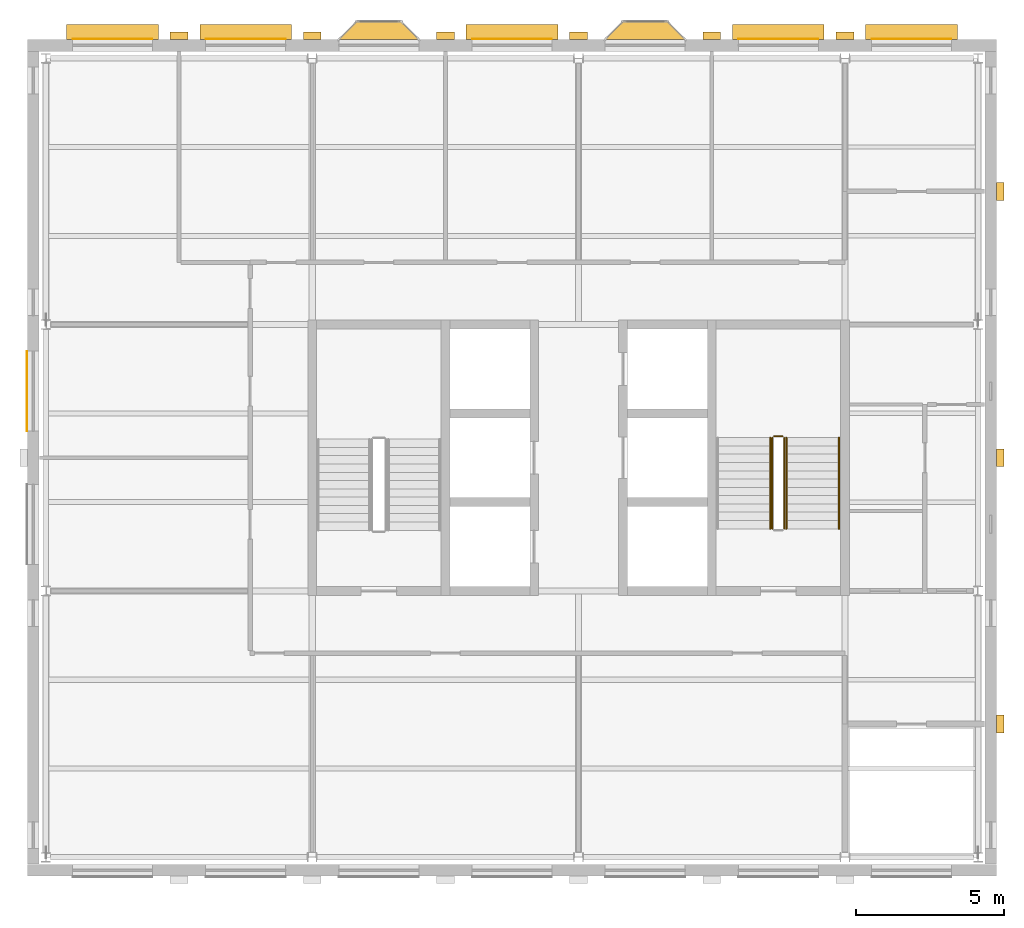
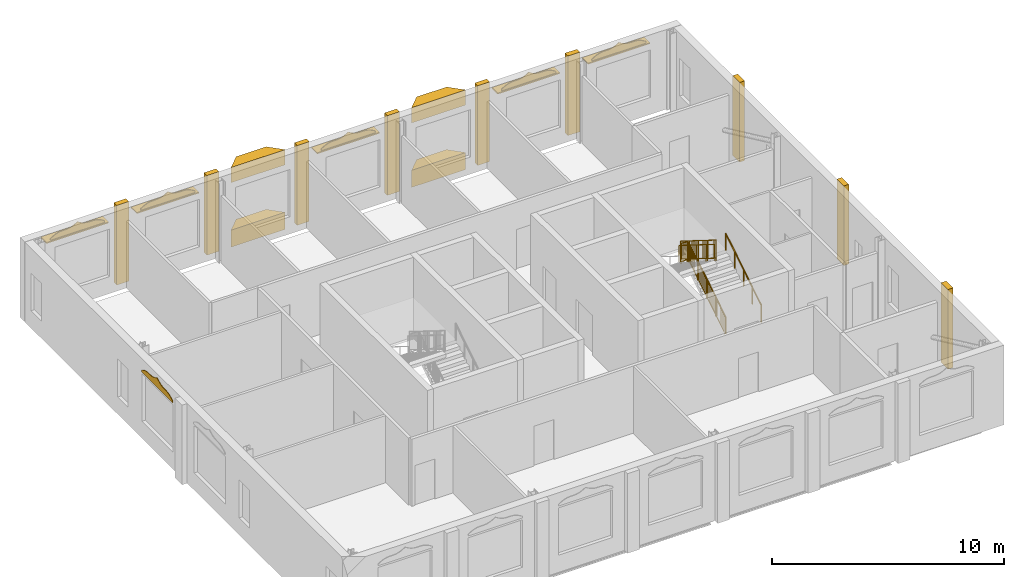
# One storey, part 9 of 9: 19 coverings, 6 railings, 5 shading devices.
"""IFC4 building model written with IfcOpenShell, lengths in metres."""

from ifc_helpers import new_model, si_unit, direction, frame, origin, origin_2d, place, context, subcontext, project, spatial, polyline, rectangle, circle, outline, extrude, material, layer, layer_set, type_object, element, save


model = new_model("IFC4")

# Units and contexts
model_context = context("Model", 3, precision=1e-05, world=origin(), true_north=direction((0.0, 1.0)))
body_context = subcontext(model_context, "Body", "Model", "MODEL_VIEW")
ifc_project = project(units=[si_unit("LENGTHUNIT", "METRE"), si_unit("AREAUNIT", "SQUARE_METRE"), si_unit("VOLUMEUNIT", "CUBIC_METRE"), si_unit("PLANEANGLEUNIT", "RADIAN"), si_unit("MASSUNIT", "GRAM", prefix="KILO")], contexts=[model_context])

# Site, building, storey
site_placement = place(None, origin())
site = spatial("IfcSite", under=ifc_project, at=site_placement, CompositionType="ELEMENT")
building_placement = place(site_placement, origin())
building = spatial("IfcBuilding", under=site, at=building_placement, Name="Hortulan Conservatory and Botanical Research Centre", CompositionType="ELEMENT")
storey_placement = place(building_placement, frame((0.0, 0.0, 52.800048828125)))
storey = spatial("IfcBuildingStorey", under=building, at=storey_placement, Name="L12", CompositionType="ELEMENT", Elevation=52.800048828125)

# Shading devices
ifc_material_1 = material(Name="Bronze-finished perforated aluminium", Category="aluminium")
ifc_layer_1 = layer(ifc_material_1, 0.06005859375)
ifc_layer_set_1 = layer_set([ifc_layer_1], Name="Catenary Hood 3100x500x60")
shading_device_type = type_object("IfcShadingDeviceType", Name="Catenary Hood 3100x500x60", PredefinedType="USERDEFINED", material=ifc_layer_set_1)
for number, where, z_axis, x_axis, name in (
    (1, (2.25, 27.885986328125, 3.409912109375), (0.0, 0.0, 1.0), (1.0, 0.0, 0.0), "Catenary hood"),
    (2, (6.75, 27.885986328125, 3.409912109375), (0.0, 0.0, 1.0), (1.0, 0.0, 0.0), "Catenary hood"),
    (3, (15.75, 27.885986328125, 3.409912109375), (0.0, 0.0, 1.0), (1.0, 0.0, 0.0), "Catenary hood"),
    (4, (24.75, 27.885986328125, 3.409912109375), (0.0, 0.0, 1.0), (1.0, 0.0, 0.0), "Catenary hood"),
    (5, (29.25, 27.885986328125, 3.409912109375), (0.0, 0.0, 1.0), (1.0, 0.0, 0.0), "Catenary hood"),
):
    element("IfcShadingDevice", number, at=place(storey_placement, frame(where, z_axis=z_axis, x_axis=x_axis)), inside=storey, type_object=shading_device_type, Name=name, ObjectType="Catenary hood", PredefinedType="USERDEFINED", context=body_context, shape_type="SweptSolid", body=[
        extrude(rectangle(XDim=3.10009765625, YDim=0.5, at=origin_2d()), origin(), (0.0, 0.0, 1.0), 0.06005859375),
    ])

# Coverings
ifc_material_2 = material(Name="Faience cladding, cream glaze (non-combustible)", Category="ceramic")
ifc_layer_2 = layer(ifc_material_2, 0.030029296875)
ifc_layer_set_2 = layer_set([ifc_layer_2], Name="Faience Ogee Head Panel Cream 2700x500")
covering_type_1 = type_object("IfcCoveringType", Name="Faience Ogee Head Panel Cream 2700x500", PredefinedType="CLADDING", material=ifc_layer_set_2)
for number, where, z_axis, x_axis, name in (
    (6, (-0.639892578125, 14.39990234375, 3.52001953125), (0.0, 0.0, 1.0), (0.0, 1.0, 0.0), "Ogee head panel"),
    (7, (14.39990234375, 27.65087890625, 3.52001953125), (0.0, 0.0, 1.0), (1.0, 0.0, 0.0), "Ogee head panel"),
):
    element("IfcCovering", number, at=place(storey_placement, frame(where, z_axis=z_axis, x_axis=x_axis)), inside=storey, type_object=covering_type_1, Name=name, PredefinedType="CLADDING", context=body_context, shape_type="SweptSolid", body=[
        extrude(outline(polyline([(0.0, 0.0), (2.699951171875, 0.0), (2.699951171875, 0.079833984375), (2.58740234375, 0.1484375), (2.47509765625, 0.208251953125), (2.362548828125, 0.252197265625), (2.25, 0.278076171875), (2.137451171875, 0.28857421875), (2.02490234375, 0.2900390625), (1.91259765625, 0.291259765625), (1.800048828125, 0.3017578125), (1.6875, 0.32763671875), (1.574951171875, 0.371826171875), (1.46240234375, 0.431396484375), (1.35009765625, 0.5), (1.237548828125, 0.431396484375), (1.125, 0.371826171875), (1.012451171875, 0.32763671875), (0.89990234375, 0.3017578125), (0.78759765625, 0.291259765625), (0.675048828125, 0.2900390625), (0.5625, 0.28857421875), (0.449951171875, 0.278076171875), (0.33740234375, 0.252197265625), (0.22509765625, 0.208251953125), (0.112548828125, 0.1484375), (0.0, 0.079833984375), (0.0, 0.0)])), frame((0.0, 0.01513671875, 0.0), z_axis=(0.0, -1.0, 0.0), x_axis=(1.0, 0.0, 0.0)), (0.0, 0.0, 1.0), 0.030029296875),
    ])
ifc_material_3 = material(Name="Faience cladding, waratah crimson glaze (non-combustible)", Category="ceramic")
ifc_layer_3 = layer(ifc_material_3, 0.030029296875)
ifc_layer_set_3 = layer_set([ifc_layer_3], Name="Faience Ogee Head Panel Crimson 2700x500")
covering_type_2 = type_object("IfcCoveringType", Name="Faience Ogee Head Panel Crimson 2700x500", PredefinedType="CLADDING", material=ifc_layer_set_3)
for number, where, z_axis, x_axis, name in (
    (8, (0.89990234375, 27.65087890625, 3.52001953125), (0.0, 0.0, 1.0), (1.0, 0.0, 0.0), "Ogee head panel"),
    (9, (23.39990234375, 27.65087890625, 3.52001953125), (0.0, 0.0, 1.0), (1.0, 0.0, 0.0), "Ogee head panel"),
    (10, (27.89990234375, 27.65087890625, 3.52001953125), (0.0, 0.0, 1.0), (1.0, 0.0, 0.0), "Ogee head panel"),
):
    element("IfcCovering", number, at=place(storey_placement, frame(where, z_axis=z_axis, x_axis=x_axis)), inside=storey, type_object=covering_type_2, Name=name, PredefinedType="CLADDING", context=body_context, shape_type="SweptSolid", body=[
        extrude(outline(polyline([(0.0, 0.0), (2.699951171875, 0.0), (2.699951171875, 0.079833984375), (2.58740234375, 0.1484375), (2.47509765625, 0.208251953125), (2.362548828125, 0.252197265625), (2.25, 0.278076171875), (2.137451171875, 0.28857421875), (2.02490234375, 0.2900390625), (1.91259765625, 0.291259765625), (1.800048828125, 0.3017578125), (1.6875, 0.32763671875), (1.574951171875, 0.371826171875), (1.46240234375, 0.431396484375), (1.35009765625, 0.5), (1.237548828125, 0.431396484375), (1.125, 0.371826171875), (1.012451171875, 0.32763671875), (0.89990234375, 0.3017578125), (0.78759765625, 0.291259765625), (0.675048828125, 0.2900390625), (0.5625, 0.28857421875), (0.449951171875, 0.278076171875), (0.33740234375, 0.252197265625), (0.22509765625, 0.208251953125), (0.112548828125, 0.1484375), (0.0, 0.079833984375), (0.0, 0.0)])), frame((0.0, 0.01513671875, 0.0), z_axis=(0.0, -1.0, 0.0), x_axis=(1.0, 0.0, 0.0)), (0.0, 0.0, 1.0), 0.030029296875),
    ])
ifc_material_4 = material(Name="Faience cladding, harbour teal glaze (non-combustible)", Category="ceramic")
ifc_layer_4 = layer(ifc_material_4, 0.030029296875)
ifc_layer_set_4 = layer_set([ifc_layer_4], Name="Faience Ogee Head Panel Teal 2700x500")
covering_type_3 = type_object("IfcCoveringType", Name="Faience Ogee Head Panel Teal 2700x500", PredefinedType="CLADDING", material=ifc_layer_set_4)
covering_1_placement = place(storey_placement, frame((5.39990234375, 27.65087890625, 3.52001953125), z_axis=(0.0, 0.0, 1.0), x_axis=(1.0, 0.0, 0.0)))
element("IfcCovering", 11, at=covering_1_placement, inside=storey, type_object=covering_type_3, Name="Ogee head panel", PredefinedType="CLADDING", context=body_context, shape_type="SweptSolid", body=[
    extrude(outline(polyline([(0.0, 0.0), (2.699951171875, 0.0), (2.699951171875, 0.079833984375), (2.58740234375, 0.1484375), (2.47509765625, 0.208251953125), (2.362548828125, 0.252197265625), (2.25, 0.278076171875), (2.137451171875, 0.28857421875), (2.02490234375, 0.2900390625), (1.91259765625, 0.291259765625), (1.800048828125, 0.3017578125), (1.6875, 0.32763671875), (1.574951171875, 0.371826171875), (1.46240234375, 0.431396484375), (1.35009765625, 0.5), (1.237548828125, 0.431396484375), (1.125, 0.371826171875), (1.012451171875, 0.32763671875), (0.89990234375, 0.3017578125), (0.78759765625, 0.291259765625), (0.675048828125, 0.2900390625), (0.5625, 0.28857421875), (0.449951171875, 0.278076171875), (0.33740234375, 0.252197265625), (0.22509765625, 0.208251953125), (0.112548828125, 0.1484375), (0.0, 0.079833984375), (0.0, 0.0)])), frame((0.0, 0.01513671875, 0.0), z_axis=(0.0, -1.0, 0.0), x_axis=(1.0, 0.0, 0.0)), (0.0, 0.0, 1.0), 0.030029296875),
])
ifc_material_5 = material(Name="Faience-faced brickwork masonry", Category="masonry")
covering_type_4 = type_object("IfcCoveringType", Name="Faience Oriel Base", PredefinedType="CLADDING", material=ifc_material_5)
covering_2_placement = place(storey_placement, origin())
element("IfcCovering", 12, at=covering_2_placement, inside=storey, type_object=covering_type_4, Name="Oriel base", PredefinedType="CLADDING", context=body_context, shape_type="SweptSolid", body=[
    extrude(outline(polyline([(9.89990234375, 27.635986328125), (10.5, 28.236083984375), (12.0, 28.236083984375), (12.60009765625, 27.635986328125), (9.89990234375, 27.635986328125)])), origin(), (0.0, 0.0, 1.0), 0.89990234375),
])
covering_3_placement = place(storey_placement, origin())
element("IfcCovering", 13, at=covering_3_placement, inside=storey, type_object=covering_type_4, Name="Oriel base", PredefinedType="CLADDING", context=body_context, shape_type="SweptSolid", body=[
    extrude(outline(polyline([(18.89990234375, 27.635986328125), (19.5, 28.236083984375), (21.0, 28.236083984375), (21.60009765625, 27.635986328125), (18.89990234375, 27.635986328125)])), origin(), (0.0, 0.0, 1.0), 0.89990234375),
])
covering_type_5 = type_object("IfcCoveringType", Name="Faience Oriel Frieze", PredefinedType="CLADDING", material=ifc_material_5)
covering_4_placement = place(storey_placement, frame((0.0, 0.0, 3.39990234375)))
element("IfcCovering", 14, at=covering_4_placement, inside=storey, type_object=covering_type_5, Name="Oriel frieze", PredefinedType="CLADDING", context=body_context, shape_type="SweptSolid", body=[
    extrude(outline(polyline([(9.89990234375, 27.635986328125), (10.5, 28.236083984375), (12.0, 28.236083984375), (12.60009765625, 27.635986328125), (9.89990234375, 27.635986328125)])), origin(), (0.0, 0.0, 1.0), 0.800048828125),
])
covering_5_placement = place(storey_placement, frame((0.0, 0.0, 3.39990234375)))
element("IfcCovering", 15, at=covering_5_placement, inside=storey, type_object=covering_type_5, Name="Oriel frieze", PredefinedType="CLADDING", context=body_context, shape_type="SweptSolid", body=[
    extrude(outline(polyline([(18.89990234375, 27.635986328125), (19.5, 28.236083984375), (21.0, 28.236083984375), (21.60009765625, 27.635986328125), (18.89990234375, 27.635986328125)])), origin(), (0.0, 0.0, 1.0), 0.800048828125),
])
ifc_layer_5 = layer(ifc_material_2, 0.25)
ifc_layer_set_5 = layer_set([ifc_layer_5], Name="Faience Pilaster 600x250")
covering_type_6 = type_object("IfcCoveringType", Name="Faience Pilaster 600x250", PredefinedType="CLADDING", material=ifc_layer_set_5)
for number, where, z_axis, x_axis, name in (
    (16, (4.5, 27.760986328125, 0.0), (0.0, 0.0, 1.0), (1.0, 0.0, 0.0), "Pier"),
    (17, (9.0, 27.760986328125, 0.0), (0.0, 0.0, 1.0), (1.0, 0.0, 0.0), "Pier"),
    (18, (13.5, 27.760986328125, 0.0), (0.0, 0.0, 1.0), (1.0, 0.0, 0.0), "Pier"),
    (19, (18.0, 27.760986328125, 0.0), (0.0, 0.0, 1.0), (1.0, 0.0, 0.0), "Pier"),
    (20, (22.5, 27.760986328125, 0.0), (0.0, 0.0, 1.0), (1.0, 0.0, 0.0), "Pier"),
    (21, (27.0, 27.760986328125, 0.0), (0.0, 0.0, 1.0), (1.0, 0.0, 0.0), "Pier"),
    (22, (32.25, 4.5, 0.0), (0.0, 0.0, 1.0), (0.0, 1.0, 0.0), "Pier"),
    (23, (32.25, 13.5, 0.0), (0.0, 0.0, 1.0), (0.0, 1.0, 0.0), "Pier"),
    (24, (32.25, 22.5, 0.0), (0.0, 0.0, 1.0), (0.0, 1.0, 0.0), "Pier"),
):
    element("IfcCovering", number, at=place(storey_placement, frame(where, z_axis=z_axis, x_axis=x_axis)), inside=storey, type_object=covering_type_6, Name=name, PredefinedType="CLADDING", context=body_context, shape_type="SweptSolid", body=[
        extrude(rectangle(XDim=0.60009765625, YDim=0.25, at=origin_2d()), origin(), (0.0, 0.0, 1.0), 4.199951171875),
    ])

# Railings
ifc_material_6 = material(Name="Steel balustrade, bronze-charcoal paint", Category="steel")
railing_type_1 = type_object("IfcRailingType", Name="Stair Guard 1100", PredefinedType="GUARDRAIL", material=ifc_material_6)
railing_1_placement = place(storey_placement, frame((24.949951171875, 11.10009765625, 0.175048828125)))
element("IfcRailing", 25, at=railing_1_placement, inside=storey, type_object=railing_type_1, Name="Guard T2 L12 stair 1", PredefinedType="GUARDRAIL", context=body_context, shape_type="SweptSolid", body=[
    extrude(circle(Radius=0.02392578125, at=origin_2d()), frame((0.0, 0.0, 1.076171875), z_axis=(0.0, 0.848009633417, 0.529980812513), x_axis=(-1.0, 0.0, 0.0)), (0.0, 0.0, 1.0), 3.6318359375),
    extrude(circle(Radius=0.02392578125, at=origin_2d()), frame((0.0, 0.0, 0.1240234375), z_axis=(0.0, 0.848009633417, 0.529980812513), x_axis=(-1.0, 0.0, 0.0)), (0.0, 0.0, 1.0), 3.6318359375),
    extrude(circle(Radius=0.008056640625, at=origin_2d()), frame((0.0, 0.090576171875, 0.204833984375)), (0.0, 0.0, 1.0), 0.90380859375),
    extrude(circle(Radius=0.008056640625, at=origin_2d()), frame((0.0, 0.18115234375, 0.261474609375)), (0.0, 0.0, 1.0), 0.90380859375),
    extrude(circle(Radius=0.008056640625, at=origin_2d()), frame((0.0, 0.271728515625, 0.318115234375)), (0.0, 0.0, 1.0), 0.90380859375),
    extrude(circle(Radius=0.008056640625, at=origin_2d()), frame((0.0, 0.3623046875, 0.374755859375)), (0.0, 0.0, 1.0), 0.90380859375),
    extrude(circle(Radius=0.008056640625, at=origin_2d()), frame((0.0, 0.452880859375, 0.43115234375)), (0.0, 0.0, 1.0), 0.90380859375),
    extrude(circle(Radius=0.008056640625, at=origin_2d()), frame((0.0, 0.54345703125, 0.48779296875)), (0.0, 0.0, 1.0), 0.90380859375),
    extrude(circle(Radius=0.008056640625, at=origin_2d()), frame((0.0, 0.634033203125, 0.54443359375)), (0.0, 0.0, 1.0), 0.90380859375),
    extrude(circle(Radius=0.008056640625, at=origin_2d()), frame((0.0, 0.724609375, 0.60107421875)), (0.0, 0.0, 1.0), 0.90380859375),
    extrude(circle(Radius=0.008056640625, at=origin_2d()), frame((0.0, 0.815185546875, 0.65771484375)), (0.0, 0.0, 1.0), 0.90380859375),
    extrude(circle(Radius=0.008056640625, at=origin_2d()), frame((0.0, 0.90576171875, 0.71435546875)), (0.0, 0.0, 1.0), 0.90380859375),
    extrude(circle(Radius=0.008056640625, at=origin_2d()), frame((0.0, 0.996337890625, 0.77099609375)), (0.0, 0.0, 1.0), 0.90380859375),
    extrude(circle(Radius=0.008056640625, at=origin_2d()), frame((0.0, 1.0869140625, 0.82763671875)), (0.0, 0.0, 1.0), 0.90380859375),
    extrude(circle(Radius=0.008056640625, at=origin_2d()), frame((0.0, 1.177490234375, 0.884033203125)), (0.0, 0.0, 1.0), 0.90380859375),
    extrude(circle(Radius=0.008056640625, at=origin_2d()), frame((0.0, 1.26806640625, 0.940673828125)), (0.0, 0.0, 1.0), 0.90380859375),
    extrude(circle(Radius=0.008056640625, at=origin_2d()), frame((0.0, 1.358642578125, 0.997314453125)), (0.0, 0.0, 1.0), 0.90380859375),
    extrude(circle(Radius=0.008056640625, at=origin_2d()), frame((0.0, 1.44921875, 1.053955078125)), (0.0, 0.0, 1.0), 0.90380859375),
    extrude(circle(Radius=0.008056640625, at=origin_2d()), frame((0.0, 1.5400390625, 1.110595703125)), (0.0, 0.0, 1.0), 0.90380859375),
    extrude(circle(Radius=0.008056640625, at=origin_2d()), frame((0.0, 1.630615234375, 1.167236328125)), (0.0, 0.0, 1.0), 0.90380859375),
    extrude(circle(Radius=0.008056640625, at=origin_2d()), frame((0.0, 1.72119140625, 1.223876953125)), (0.0, 0.0, 1.0), 0.90380859375),
    extrude(circle(Radius=0.008056640625, at=origin_2d()), frame((0.0, 1.811767578125, 1.280517578125)), (0.0, 0.0, 1.0), 0.90380859375),
    extrude(circle(Radius=0.008056640625, at=origin_2d()), frame((0.0, 1.90234375, 1.337158203125)), (0.0, 0.0, 1.0), 0.90380859375),
    extrude(circle(Radius=0.008056640625, at=origin_2d()), frame((0.0, 1.992919921875, 1.3935546875)), (0.0, 0.0, 1.0), 0.90380859375),
    extrude(circle(Radius=0.008056640625, at=origin_2d()), frame((0.0, 2.08349609375, 1.4501953125)), (0.0, 0.0, 1.0), 0.90380859375),
    extrude(circle(Radius=0.008056640625, at=origin_2d()), frame((0.0, 2.174072265625, 1.5068359375)), (0.0, 0.0, 1.0), 0.90380859375),
    extrude(circle(Radius=0.008056640625, at=origin_2d()), frame((0.0, 2.2646484375, 1.5634765625)), (0.0, 0.0, 1.0), 0.90380859375),
    extrude(circle(Radius=0.008056640625, at=origin_2d()), frame((0.0, 2.355224609375, 1.6201171875)), (0.0, 0.0, 1.0), 0.90380859375),
    extrude(circle(Radius=0.008056640625, at=origin_2d()), frame((0.0, 2.44580078125, 1.6767578125)), (0.0, 0.0, 1.0), 0.90380859375),
    extrude(circle(Radius=0.008056640625, at=origin_2d()), frame((0.0, 2.536376953125, 1.7333984375)), (0.0, 0.0, 1.0), 0.90380859375),
    extrude(circle(Radius=0.008056640625, at=origin_2d()), frame((0.0, 2.626953125, 1.7900390625)), (0.0, 0.0, 1.0), 0.90380859375),
    extrude(circle(Radius=0.008056640625, at=origin_2d()), frame((0.0, 2.717529296875, 1.846435546875)), (0.0, 0.0, 1.0), 0.90380859375),
    extrude(circle(Radius=0.008056640625, at=origin_2d()), frame((0.0, 2.80810546875, 1.903076171875)), (0.0, 0.0, 1.0), 0.90380859375),
    extrude(circle(Radius=0.008056640625, at=origin_2d()), frame((0.0, 2.898681640625, 1.959716796875)), (0.0, 0.0, 1.0), 0.90380859375),
    extrude(circle(Radius=0.008056640625, at=origin_2d()), frame((0.0, 2.9892578125, 2.016357421875)), (0.0, 0.0, 1.0), 0.90380859375),
    extrude(circle(Radius=0.02099609375, at=origin_2d()), origin(), (0.0, 0.0, 1.0), 1.052001953125),
    extrude(circle(Radius=0.02099609375, at=origin_2d()), frame((0.0, 0.77001953125, 0.481201171875)), (0.0, 0.0, 1.0), 1.052001953125),
    extrude(circle(Radius=0.02099609375, at=origin_2d()), frame((0.0, 1.5400390625, 0.96240234375)), (0.0, 0.0, 1.0), 1.052001953125),
    extrude(circle(Radius=0.02099609375, at=origin_2d()), frame((0.0, 2.309814453125, 1.443603515625)), (0.0, 0.0, 1.0), 1.052001953125),
    extrude(circle(Radius=0.02099609375, at=origin_2d()), frame((0.0, 3.079833984375, 1.9248046875)), (0.0, 0.0, 1.0), 1.052001953125),
])
railing_2_placement = place(storey_placement, frame((24.89990234375, 14.22998046875, 2.099853515625)))
element("IfcRailing", 26, at=railing_2_placement, inside=storey, type_object=railing_type_1, Name="Guard T2 L12 stair 2", PredefinedType="GUARDRAIL", context=body_context, shape_type="SweptSolid", body=[
    extrude(circle(Radius=0.02392578125, at=origin_2d()), frame((0.0, 0.0, 1.076171875), z_axis=(-1.0, 0.0, 0.0), x_axis=(0.0, -1.0, 0.0)), (0.0, 0.0, 1.0), 0.2998046875),
    extrude(circle(Radius=0.02392578125, at=origin_2d()), frame((0.0, 0.0, 0.1240234375), z_axis=(-1.0, 0.0, 0.0), x_axis=(0.0, -1.0, 0.0)), (0.0, 0.0, 1.0), 0.2998046875),
    extrude(circle(Radius=0.008056640625, at=origin_2d()), frame((-0.099853515625, 0.0, 0.148193359375)), (0.0, 0.0, 1.0), 0.90380859375),
    extrude(circle(Radius=0.008056640625, at=origin_2d()), frame((-0.199951171875, 0.0, 0.148193359375)), (0.0, 0.0, 1.0), 0.90380859375),
    extrude(circle(Radius=0.02099609375, at=origin_2d()), origin(), (0.0, 0.0, 1.0), 1.052001953125),
    extrude(circle(Radius=0.02099609375, at=origin_2d()), frame((-0.2998046875, 0.0, 0.0)), (0.0, 0.0, 1.0), 1.052001953125),
])
railing_3_placement = place(storey_placement, frame((24.550048828125, 14.179931640625, 2.27490234375)))
element("IfcRailing", 27, at=railing_3_placement, inside=storey, type_object=railing_type_1, Name="Guard T2 L12 stair 3", PredefinedType="GUARDRAIL", context=body_context, shape_type="SweptSolid", body=[
    extrude(circle(Radius=0.02392578125, at=origin_2d()), frame((0.0, 0.0, 1.076171875), z_axis=(0.0, -0.847979421464, 0.530029150871), x_axis=(1.0, 0.0, 0.0)), (0.0, 0.0, 1.0), 3.632080078125),
    extrude(circle(Radius=0.02392578125, at=origin_2d()), frame((0.0, 0.0, 0.1240234375), z_axis=(0.0, -0.847979421464, 0.530029150871), x_axis=(1.0, 0.0, 0.0)), (0.0, 0.0, 1.0), 3.632080078125),
    extrude(circle(Radius=0.008056640625, at=origin_2d()), frame((0.0, -0.090576171875, 0.204833984375)), (0.0, 0.0, 1.0), 0.90380859375),
    extrude(circle(Radius=0.008056640625, at=origin_2d()), frame((0.0, -0.18115234375, 0.261474609375)), (0.0, 0.0, 1.0), 0.90380859375),
    extrude(circle(Radius=0.008056640625, at=origin_2d()), frame((0.0, -0.271728515625, 0.318115234375)), (0.0, 0.0, 1.0), 0.90380859375),
    extrude(circle(Radius=0.008056640625, at=origin_2d()), frame((0.0, -0.3623046875, 0.374755859375)), (0.0, 0.0, 1.0), 0.90380859375),
    extrude(circle(Radius=0.008056640625, at=origin_2d()), frame((0.0, -0.452880859375, 0.431396484375)), (0.0, 0.0, 1.0), 0.90380859375),
    extrude(circle(Radius=0.008056640625, at=origin_2d()), frame((0.0, -0.54345703125, 0.48779296875)), (0.0, 0.0, 1.0), 0.90380859375),
    extrude(circle(Radius=0.008056640625, at=origin_2d()), frame((0.0, -0.634033203125, 0.54443359375)), (0.0, 0.0, 1.0), 0.90380859375),
    extrude(circle(Radius=0.008056640625, at=origin_2d()), frame((0.0, -0.724609375, 0.60107421875)), (0.0, 0.0, 1.0), 0.90380859375),
    extrude(circle(Radius=0.008056640625, at=origin_2d()), frame((0.0, -0.815185546875, 0.65771484375)), (0.0, 0.0, 1.0), 0.90380859375),
    extrude(circle(Radius=0.008056640625, at=origin_2d()), frame((0.0, -0.90576171875, 0.71435546875)), (0.0, 0.0, 1.0), 0.90380859375),
    extrude(circle(Radius=0.008056640625, at=origin_2d()), frame((0.0, -0.996337890625, 0.77099609375)), (0.0, 0.0, 1.0), 0.90380859375),
    extrude(circle(Radius=0.008056640625, at=origin_2d()), frame((0.0, -1.0869140625, 0.82763671875)), (0.0, 0.0, 1.0), 0.90380859375),
    extrude(circle(Radius=0.008056640625, at=origin_2d()), frame((0.0, -1.177490234375, 0.88427734375)), (0.0, 0.0, 1.0), 0.90380859375),
    extrude(circle(Radius=0.008056640625, at=origin_2d()), frame((0.0, -1.26806640625, 0.94091796875)), (0.0, 0.0, 1.0), 0.90380859375),
    extrude(circle(Radius=0.008056640625, at=origin_2d()), frame((0.0, -1.358642578125, 0.99755859375)), (0.0, 0.0, 1.0), 0.90380859375),
    extrude(circle(Radius=0.008056640625, at=origin_2d()), frame((0.0, -1.44921875, 1.05419921875)), (0.0, 0.0, 1.0), 0.90380859375),
    extrude(circle(Radius=0.008056640625, at=origin_2d()), frame((0.0, -1.5400390625, 1.11083984375)), (0.0, 0.0, 1.0), 0.90380859375),
    extrude(circle(Radius=0.008056640625, at=origin_2d()), frame((0.0, -1.630615234375, 1.167236328125)), (0.0, 0.0, 1.0), 0.90380859375),
    extrude(circle(Radius=0.008056640625, at=origin_2d()), frame((0.0, -1.72119140625, 1.223876953125)), (0.0, 0.0, 1.0), 0.90380859375),
    extrude(circle(Radius=0.008056640625, at=origin_2d()), frame((0.0, -1.811767578125, 1.280517578125)), (0.0, 0.0, 1.0), 0.90380859375),
    extrude(circle(Radius=0.008056640625, at=origin_2d()), frame((0.0, -1.90234375, 1.337158203125)), (0.0, 0.0, 1.0), 0.90380859375),
    extrude(circle(Radius=0.008056640625, at=origin_2d()), frame((0.0, -1.992919921875, 1.393798828125)), (0.0, 0.0, 1.0), 0.90380859375),
    extrude(circle(Radius=0.008056640625, at=origin_2d()), frame((0.0, -2.08349609375, 1.450439453125)), (0.0, 0.0, 1.0), 0.90380859375),
    extrude(circle(Radius=0.008056640625, at=origin_2d()), frame((0.0, -2.174072265625, 1.507080078125)), (0.0, 0.0, 1.0), 0.90380859375),
    extrude(circle(Radius=0.008056640625, at=origin_2d()), frame((0.0, -2.2646484375, 1.563720703125)), (0.0, 0.0, 1.0), 0.90380859375),
    extrude(circle(Radius=0.008056640625, at=origin_2d()), frame((0.0, -2.355224609375, 1.620361328125)), (0.0, 0.0, 1.0), 0.90380859375),
    extrude(circle(Radius=0.008056640625, at=origin_2d()), frame((0.0, -2.44580078125, 1.677001953125)), (0.0, 0.0, 1.0), 0.90380859375),
    extrude(circle(Radius=0.008056640625, at=origin_2d()), frame((0.0, -2.536376953125, 1.733642578125)), (0.0, 0.0, 1.0), 0.90380859375),
    extrude(circle(Radius=0.008056640625, at=origin_2d()), frame((0.0, -2.626953125, 1.7900390625)), (0.0, 0.0, 1.0), 0.90380859375),
    extrude(circle(Radius=0.008056640625, at=origin_2d()), frame((0.0, -2.717529296875, 1.8466796875)), (0.0, 0.0, 1.0), 0.90380859375),
    extrude(circle(Radius=0.008056640625, at=origin_2d()), frame((0.0, -2.80810546875, 1.9033203125)), (0.0, 0.0, 1.0), 0.90380859375),
    extrude(circle(Radius=0.008056640625, at=origin_2d()), frame((0.0, -2.898681640625, 1.9599609375)), (0.0, 0.0, 1.0), 0.90380859375),
    extrude(circle(Radius=0.008056640625, at=origin_2d()), frame((0.0, -2.9892578125, 2.0166015625)), (0.0, 0.0, 1.0), 0.90380859375),
    extrude(circle(Radius=0.02099609375, at=origin_2d()), origin(), (0.0, 0.0, 1.0), 1.052001953125),
    extrude(circle(Radius=0.02099609375, at=origin_2d()), frame((0.0, -0.77001953125, 0.481201171875)), (0.0, 0.0, 1.0), 1.052001953125),
    extrude(circle(Radius=0.02099609375, at=origin_2d()), frame((0.0, -1.5400390625, 0.96240234375)), (0.0, 0.0, 1.0), 1.052001953125),
    extrude(circle(Radius=0.02099609375, at=origin_2d()), frame((0.0, -2.309814453125, 1.44384765625)), (0.0, 0.0, 1.0), 1.052001953125),
    extrude(circle(Radius=0.02099609375, at=origin_2d()), frame((0.0, -3.079833984375, 1.925048828125)), (0.0, 0.0, 1.0), 1.052001953125),
])
ifc_material_7 = material(Name="Bronze handrail, polished", Category="metal")
railing_type_2 = type_object("IfcRailingType", Name="Stair Handrail 900", PredefinedType="HANDRAIL", material=ifc_material_7)
for number, where, name in (
    (28, (26.800048828125, 11.10009765625, 0.175048828125), "Handrail T2 L12 stair 1"),
    (29, (25.02001953125, 11.10009765625, 0.175048828125), "Handrail T2 L12 stair 3"),
):
    element("IfcRailing", number, at=place(storey_placement, frame(where)), inside=storey, type_object=railing_type_2, Name=name, PredefinedType="HANDRAIL", context=body_context, shape_type="SweptSolid", body=[
        extrude(circle(Radius=0.02392578125, at=origin_2d()), frame((0.0, 0.0, 0.8759765625), z_axis=(0.0, 0.848009633417, 0.529980812513), x_axis=(-1.0, 0.0, 0.0)), (0.0, 0.0, 1.0), 3.6318359375),
        extrude(circle(Radius=0.02099609375, at=origin_2d()), origin(), (0.0, 0.0, 1.0), 0.851806640625),
        extrude(circle(Radius=0.02099609375, at=origin_2d()), frame((0.0, 0.77001953125, 0.481201171875)), (0.0, 0.0, 1.0), 0.851806640625),
        extrude(circle(Radius=0.02099609375, at=origin_2d()), frame((0.0, 1.5400390625, 0.96240234375)), (0.0, 0.0, 1.0), 0.851806640625),
        extrude(circle(Radius=0.02099609375, at=origin_2d()), frame((0.0, 2.309814453125, 1.443603515625)), (0.0, 0.0, 1.0), 0.851806640625),
        extrude(circle(Radius=0.02099609375, at=origin_2d()), frame((0.0, 3.079833984375, 1.9248046875)), (0.0, 0.0, 1.0), 0.851806640625),
    ])
railing_4_placement = place(storey_placement, frame((24.47998046875, 14.179931640625, 2.27490234375)))
element("IfcRailing", 30, at=railing_4_placement, inside=storey, type_object=railing_type_2, Name="Handrail T2 L12 stair 4", PredefinedType="HANDRAIL", context=body_context, shape_type="SweptSolid", body=[
    extrude(circle(Radius=0.02392578125, at=origin_2d()), frame((0.0, 0.0, 0.8759765625), z_axis=(0.0, -0.847979421464, 0.530029150871), x_axis=(1.0, 0.0, 0.0)), (0.0, 0.0, 1.0), 3.632080078125),
    extrude(circle(Radius=0.02099609375, at=origin_2d()), origin(), (0.0, 0.0, 1.0), 0.851806640625),
    extrude(circle(Radius=0.02099609375, at=origin_2d()), frame((0.0, -0.77001953125, 0.481201171875)), (0.0, 0.0, 1.0), 0.851806640625),
    extrude(circle(Radius=0.02099609375, at=origin_2d()), frame((0.0, -1.5400390625, 0.96240234375)), (0.0, 0.0, 1.0), 0.851806640625),
    extrude(circle(Radius=0.02099609375, at=origin_2d()), frame((0.0, -2.309814453125, 1.44384765625)), (0.0, 0.0, 1.0), 0.851806640625),
    extrude(circle(Radius=0.02099609375, at=origin_2d()), frame((0.0, -3.079833984375, 1.925048828125)), (0.0, 0.0, 1.0), 0.851806640625),
])

save(model, "model.ifc")
